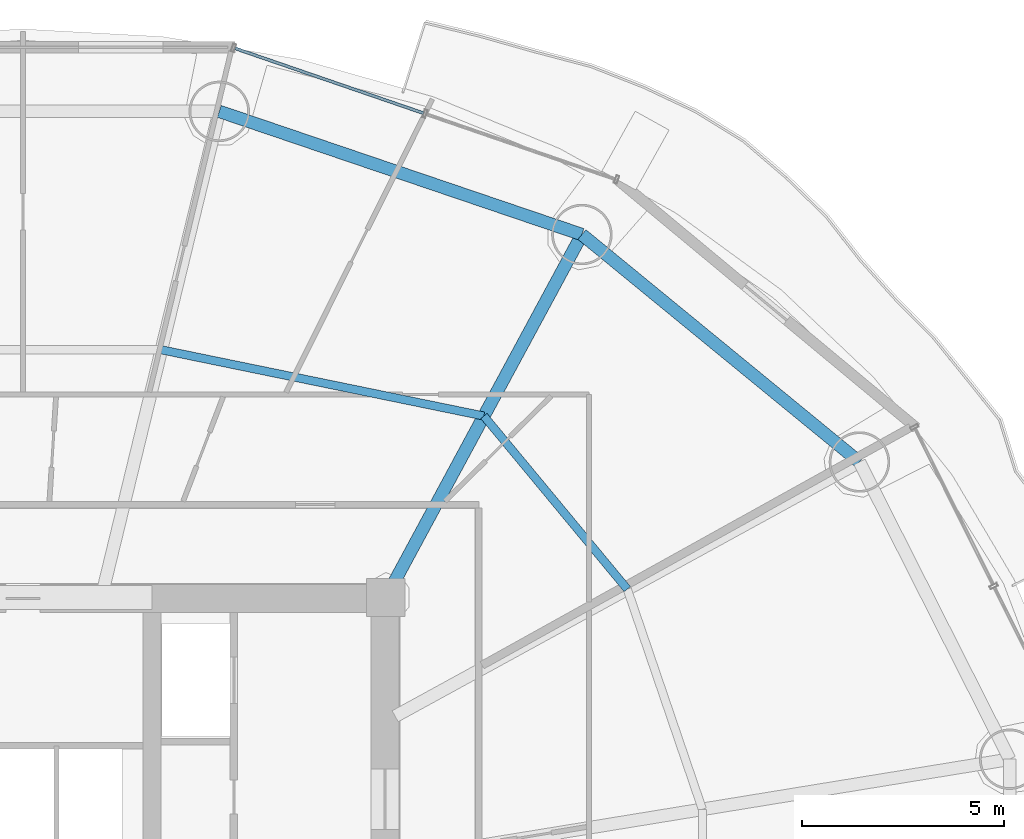
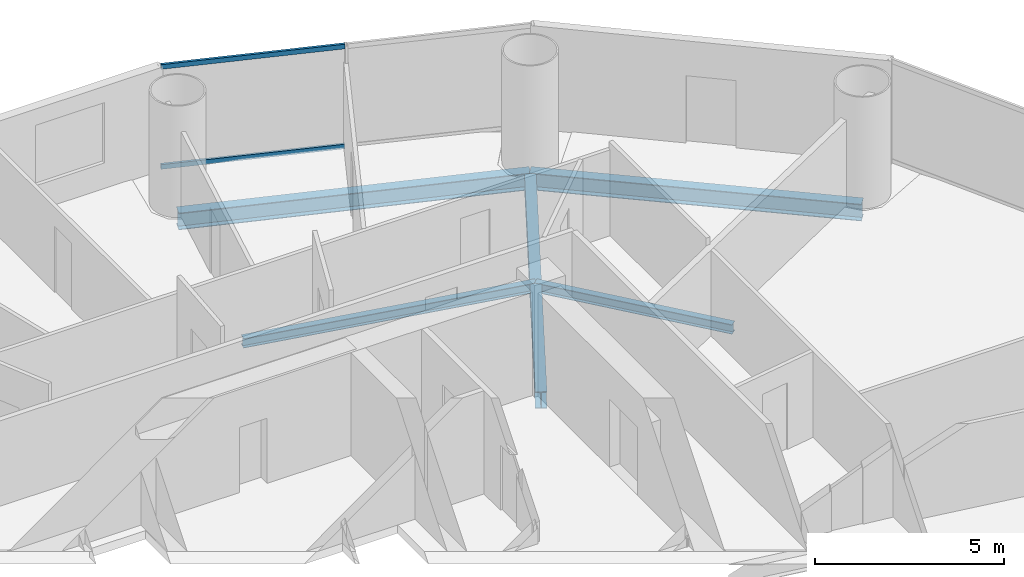
# One storey, part 19 of 29: 5 beams, 2 members, 1 element without a shape of its own.
"""IFC4 building model written with IfcOpenShell, lengths in metres."""

from ifc_helpers import new_model, si_unit, direction, frame, origin, origin_2d, place, context, subcontext, project, spatial, hollow_rectangle, i_section, extrude, source, transform, mapped, material, material_profile, profile_set, type_object, element, aggregate, save


model = new_model("IFC4")

# Units and contexts
model_context = context("Model", 3, precision=1e-05, world=origin(), true_north=direction((-0.2419218956, 0.970295726276)))
body_context = subcontext(model_context, "Body", "Model", "MODEL_VIEW")
ifc_project = project(units=[si_unit("LENGTHUNIT", "METRE"), si_unit("AREAUNIT", "SQUARE_METRE"), si_unit("VOLUMEUNIT", "CUBIC_METRE"), si_unit("PLANEANGLEUNIT", "RADIAN"), si_unit("MASSUNIT", "GRAM", prefix="KILO")], contexts=[model_context])

# Site, building, storey
site_placement = place(None, origin())
site = spatial("IfcSite", under=ifc_project, at=site_placement, CompositionType="ELEMENT")
building_placement = place(site_placement, origin())
building = spatial("IfcBuilding", under=site, at=building_placement, Name="Cobrevalo Terracotta Tower", CompositionType="ELEMENT")
storey_placement = place(building_placement, frame((0.0, 0.0, 90.60009765625)))
storey = spatial("IfcBuildingStorey", under=building, at=storey_placement, Name="L23", CompositionType="ELEMENT", Elevation=90.60009765625)

# Beams
ifc_material_1 = material(Name="Steel S355", Category="steel")
ifc_material_profile_1 = material_profile(ifc_material_1, i_section(OverallWidth=0.31201171875, OverallDepth=0.54296875, WebThickness=0.0126953125, FlangeThickness=0.020263671875, at=origin_2d()), Name="W 530x150")
ifc_profile_set_1 = profile_set([ifc_material_profile_1], Name="Steel S355")
beam_type_1 = type_object("IfcBeamType", Name="Structural Beam W 530x150 (Steel S355)", PredefinedType="BEAM", material=ifc_profile_set_1)
beam_1_placement = place(storey_placement, frame((51.861572265625, 43.803466796875, -0.546630859375), z_axis=(-0.475128224431, -0.879916570107, 0.0), x_axis=(0.879916570107, -0.475128224431, 0.0)))
element("IfcBeam", 1, at=beam_1_placement, inside=storey, type_object=beam_type_1, Name="L23 radial floor girder 03", PredefinedType="BEAM", context=body_context, shape_type="SweptSolid", body=[
    extrude(i_section(OverallWidth=0.31201171875, OverallDepth=0.54296875, WebThickness=0.0126953125, FlangeThickness=0.020263671875, at=origin_2d()), origin(), (0.0, 0.0, 1.0), 10.232177734375),
])
ifc_material_profile_2 = material_profile(ifc_material_1, i_section(OverallWidth=0.2041015625, OverallDepth=0.305908203125, WebThickness=0.008544921875, FlangeThickness=0.0146484375, at=origin_2d()), Name="W 310x67")
ifc_profile_set_2 = profile_set([ifc_material_profile_2], Name="Steel S355")
beam_type_2 = type_object("IfcBeamType", Name="Structural Joist W 310x67 (Steel S355)", PredefinedType="JOIST", material=ifc_profile_set_2)
beam_2_placement = place(storey_placement, frame((52.987548828125, 35.00830078125, -0.427978515625), z_axis=(-0.6379592588, 0.77007011636, 0.0), x_axis=(-0.77007011636, -0.6379592588, 0.0)))
element("IfcBeam", 2, at=beam_2_placement, inside=storey, type_object=beam_type_2, Name="L23 circumferential secondary floor joist 02", PredefinedType="JOIST", context=body_context, shape_type="SweptSolid", body=[
    extrude(i_section(OverallWidth=0.2041015625, OverallDepth=0.305908203125, WebThickness=0.008544921875, FlangeThickness=0.0146484375, at=origin_2d()), origin(), (0.0, 0.0, 1.0), 5.575439453125),
])
beam_3_placement = place(storey_placement, frame((49.4306640625, 39.3017578125, -0.427978515625), z_axis=(-0.979574469315, 0.201081722357, 0.0), x_axis=(-0.201081722357, -0.979574469315, 0.0)))
element("IfcBeam", 3, at=beam_3_placement, inside=storey, type_object=beam_type_2, Name="L23 circumferential secondary floor joist 03", PredefinedType="JOIST", context=body_context, shape_type="SweptSolid", body=[
    extrude(i_section(OverallWidth=0.2041015625, OverallDepth=0.305908203125, WebThickness=0.008544921875, FlangeThickness=0.0146484375, at=origin_2d()), origin(), (0.0, 0.0, 1.0), 8.1650390625),
])
ifc_material_profile_3 = material_profile(ifc_material_1, i_section(OverallWidth=0.31201171875, OverallDepth=0.54296875, WebThickness=0.0126953125, FlangeThickness=0.020263671875, at=origin_2d()), Name="W 530x150")
ifc_profile_set_3 = profile_set([ifc_material_profile_3], Name="Steel S355")
beam_type_3 = type_object("IfcBeamType", Name="Structural Spandrel W 530x150 (Steel S355)", PredefinedType="SPANDREL", material=ifc_profile_set_3)
beam_4_placement = place(storey_placement, frame((58.7451171875, 38.161376953125, -0.546630859375), z_axis=(-0.773400923541, 0.633917196064, 0.0), x_axis=(-0.633917196064, -0.773400923541, 0.0)))
element("IfcBeam", 4, at=beam_4_placement, inside=storey, type_object=beam_type_3, Name="L23 perimeter ring spandrel 02", PredefinedType="SPANDREL", context=body_context, shape_type="SweptSolid", body=[
    extrude(i_section(OverallWidth=0.31201171875, OverallDepth=0.54296875, WebThickness=0.0126953125, FlangeThickness=0.020263671875, at=origin_2d()), origin(), (0.0, 0.0, 1.0), 8.900390625),
])
beam_5_placement = place(storey_placement, frame((51.861572265625, 43.803466796875, -0.546630859375), z_axis=(-0.946910528816, 0.32149720126, 0.0), x_axis=(-0.32149720126, -0.946910528816, 0.0)))
element("IfcBeam", 5, at=beam_5_placement, inside=storey, type_object=beam_type_3, Name="L23 perimeter ring spandrel 03", PredefinedType="SPANDREL", context=body_context, shape_type="SweptSolid", body=[
    extrude(i_section(OverallWidth=0.31201171875, OverallDepth=0.54296875, WebThickness=0.0126953125, FlangeThickness=0.020263671875, at=origin_2d()), origin(), (0.0, 0.0, 1.0), 9.498291015625),
])

# Curtain wall, members
ifc_material_2 = material(Name="Anodized aluminium", Category="aluminium")
curtain_wall_type = type_object("IfcCurtainWallType", Name="Lower-tower unitised acoustic low-E curtain wall CW-U1", PredefinedType="NOTDEFINED", material=ifc_material_2)
curtain_wall_placement = place(storey_placement, origin())
curtain_wall = element("IfcCurtainWall", 6, at=curtain_wall_placement, inside=storey, type_object=curtain_wall_type, Name="L23 curtain wall CW-L23-S03", PredefinedType="NOTDEFINED")
ifc_material_profile_4 = material_profile(ifc_material_2, hollow_rectangle(XDim=0.074951171875, YDim=0.14990234375, WallThickness=0.00439453125, at=origin_2d()), Name="CWT 75x150")
ifc_profile_set_4 = profile_set([ifc_material_profile_4], Name="Anodized aluminium")
member_type = type_object("IfcMemberType", Name="Tower unitised aluminium transom 75x150", PredefinedType="USERDEFINED", material=ifc_profile_set_4)
shared_shape = source(origin(), body_context, "Body", "SweptSolid", [
    extrude(hollow_rectangle(XDim=0.074951171875, YDim=0.14990234375, WallThickness=0.00439453125, at=origin_2d()), origin(), (0.0, 0.0, 1.0), 4.944580078125),
])
member_1_placement = place(storey_placement, frame((47.934814453125, 46.811279296875, 0.0498046875), z_axis=(-0.945597859971, 0.32533780478, 0.0), x_axis=(-0.32533780478, -0.945597859971, 0.0)))
member_1 = element("IfcMember", 7, at=member_1_placement, type_object=member_type, Name="CW-L23-S03 transom B02-T1", ObjectType="TRANSOM", PredefinedType="USERDEFINED", context=body_context, shape_type="MappedRepresentation", body=[
    mapped(shared_shape, transform((0.0, 0.0, 0.0), scale=1.0)),
])
member_2_placement = place(storey_placement, frame((47.934814453125, 46.811279296875, 3.27490234375), z_axis=(-0.945597859971, 0.32533780478, 0.0), x_axis=(-0.32533780478, -0.945597859971, 0.0)))
member_2 = element("IfcMember", 8, at=member_2_placement, type_object=member_type, Name="CW-L23-S03 transom B02-T2", ObjectType="TRANSOM", PredefinedType="USERDEFINED", context=body_context, shape_type="MappedRepresentation", body=[
    mapped(shared_shape, transform((0.0, 0.0, 0.0), scale=1.0)),
])
aggregate(curtain_wall, [member_1, member_2])

save(model, "model.ifc")
